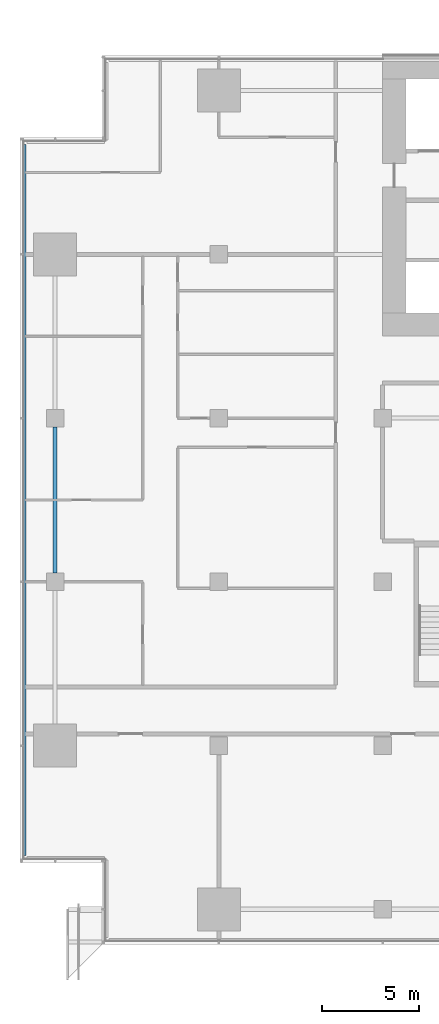
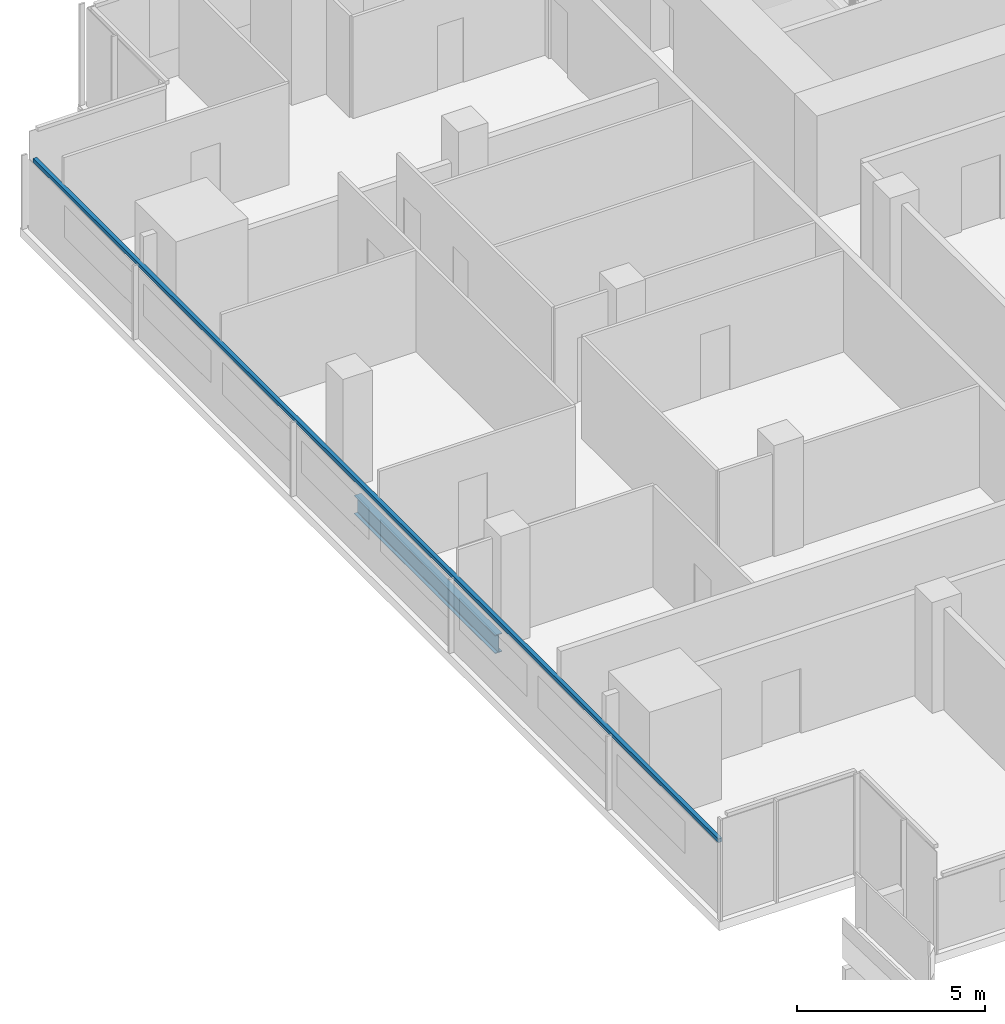
# One storey, part 5 of 25: 1 beam, 1 member, 1 element without a shape of its own.
"""IFC4 building model written with IfcOpenShell, lengths in metres."""

from ifc_helpers import new_model, si_unit, direction, frame, origin, origin_2d, place, context, subcontext, project, spatial, rectangle, i_section, extrude, material, material_profile, profile_set, type_object, element, aggregate, save


model = new_model("IFC4")

# Units and contexts
model_context = context("Model", 3, precision=1e-05, world=origin(), true_north=direction((0.0, 1.0)))
body_context = subcontext(model_context, "Body", "Model", "MODEL_VIEW")
ifc_project = project(units=[si_unit("LENGTHUNIT", "METRE"), si_unit("AREAUNIT", "SQUARE_METRE"), si_unit("VOLUMEUNIT", "CUBIC_METRE"), si_unit("PLANEANGLEUNIT", "RADIAN"), si_unit("MASSUNIT", "GRAM", prefix="KILO")], contexts=[model_context])

# Site, building, storey
site_placement = place(None, origin())
site = spatial("IfcSite", under=ifc_project, at=site_placement, CompositionType="ELEMENT")
building_placement = place(site_placement, origin())
building = spatial("IfcBuilding", under=site, at=building_placement, Name="Saffron Gate Tower", CompositionType="ELEMENT")
storey_placement = place(building_placement, frame((0.0, 0.0, 80.39990234375)))
storey = spatial("IfcBuildingStorey", under=building, at=storey_placement, Name="L19", CompositionType="ELEMENT", Elevation=80.39990234375)

# Beam
ifc_material_1 = material(Name="Structural steel S355", Category="steel")
ifc_material_profile_1 = material_profile(ifc_material_1, i_section(OverallWidth=0.219970703125, OverallDepth=0.60009765625, WebThickness=0.011962890625, FlangeThickness=0.01904296875, FilletRadius=0.02392578125, at=origin_2d()))
ifc_profile_set_1 = profile_set([ifc_material_profile_1], Name="Structural steel S355")
beam_type = type_object("IfcBeamType", Name="B16 IPE 600", PredefinedType="SPANDREL", material=ifc_profile_set_1)
beam_placement = place(storey_placement, frame((49.800048828125, 49.050048828125, -0.579833984375), z_axis=(0.0, 1.0, 0.0), x_axis=(-1.0, 0.0, 0.0)))
element("IfcBeam", 1, at=beam_placement, inside=storey, type_object=beam_type, Name="B16 SPANDREL BEAM", PredefinedType="SPANDREL", context=body_context, shape_type="SweptSolid", body=[
    extrude(i_section(OverallWidth=0.219970703125, OverallDepth=0.60009765625, WebThickness=0.011962890625, FlangeThickness=0.01904296875, FilletRadius=0.02392578125, at=origin_2d()), origin(), (0.0, 0.0, 1.0), 7.5),
])

# Curtain wall, member
ifc_material_2 = material(Name="Aluminium, bronze anodised", Category="aluminium")
curtain_wall_type = type_object("IfcCurtainWallType", Name="CWS2 curtain wall side facades", PredefinedType="NOTDEFINED", material=ifc_material_2)
curtain_wall_placement = place(storey_placement, origin())
curtain_wall = element("IfcCurtainWall", 2, at=curtain_wall_placement, inside=storey, type_object=curtain_wall_type, Name="CWS2 run 10", PredefinedType="NOTDEFINED")
ifc_material_profile_2 = material_profile(ifc_material_2, rectangle(XDim=0.1201171875, YDim=0.1201171875, at=origin_2d()))
ifc_profile_set_2 = profile_set([ifc_material_profile_2], Name="Aluminium, bronze anodised")
member_type = type_object("IfcMemberType", Name="CWS2 head transom", PredefinedType="USERDEFINED", material=ifc_profile_set_2)
member_placement = place(storey_placement, frame((48.248046875, 71.031982421875, 2.35009765625), z_axis=(0.0, -1.0, 0.0), x_axis=(1.0, 0.0, 0.0)))
member = element("IfcMember", 3, at=member_placement, type_object=member_type, Name="CWS2 head transom", ObjectType="TRANSOM", PredefinedType="USERDEFINED", context=body_context, shape_type="SweptSolid", body=[
    extrude(rectangle(XDim=0.1201171875, YDim=0.1201171875, at=origin_2d()), origin(), (0.0, 0.0, 1.0), 36.4638671875),
])
aggregate(curtain_wall, [member])

save(model, "model.ifc")
